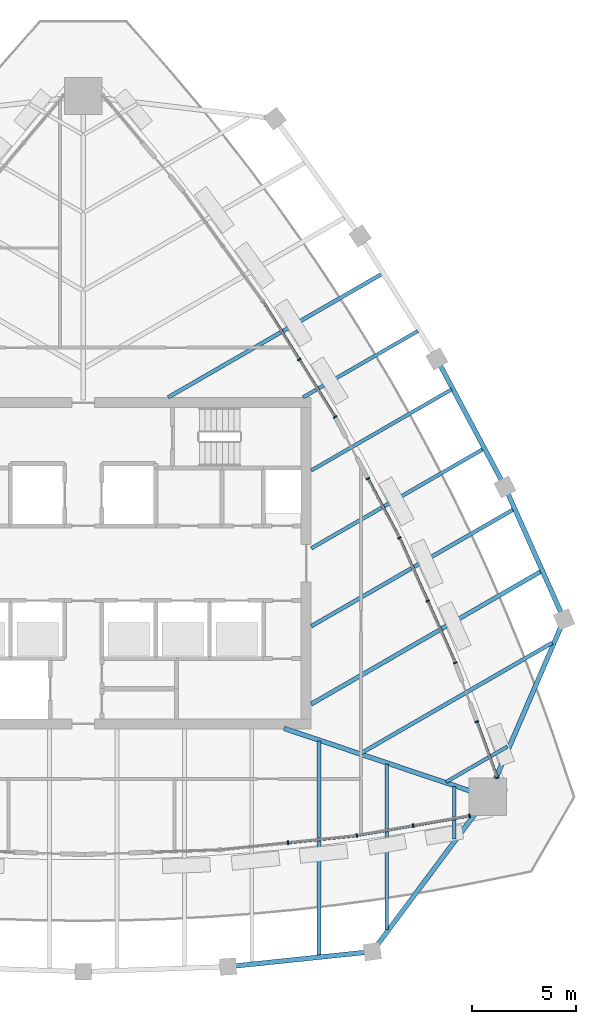
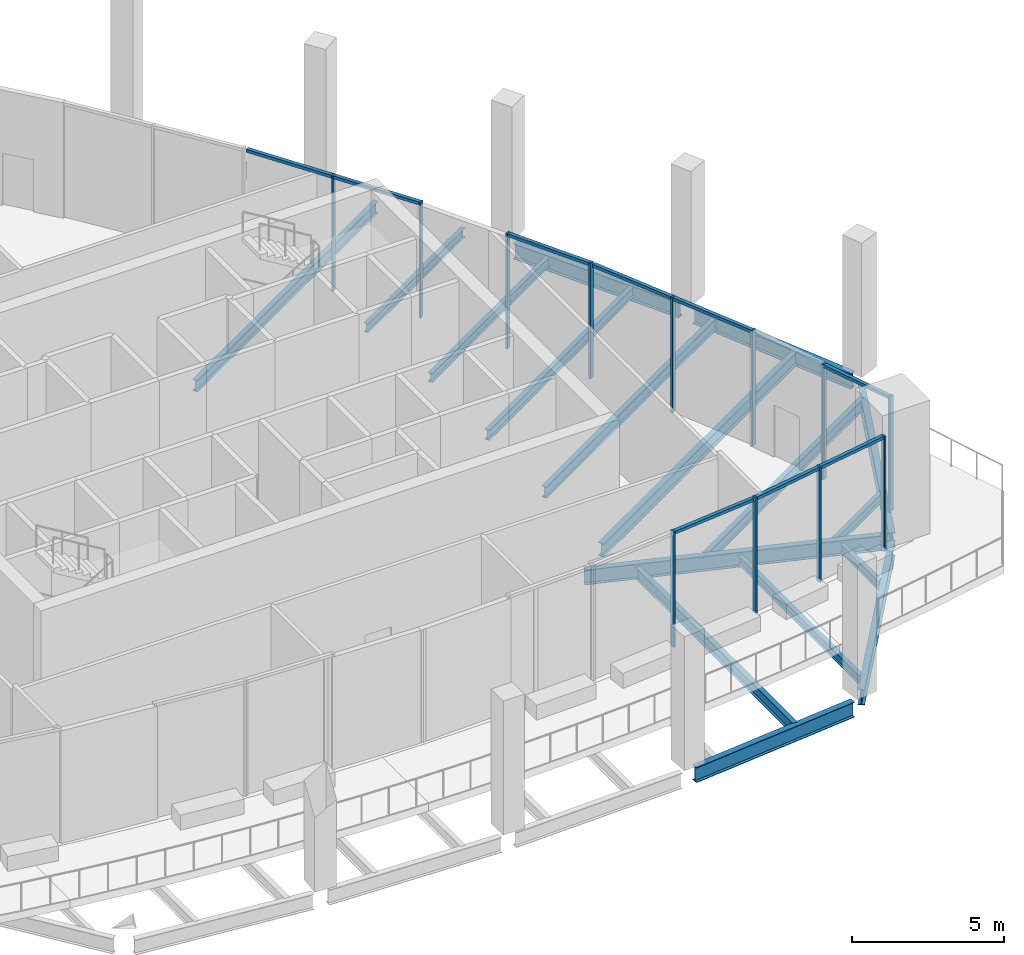
# One storey, part 4 of 14: 21 members, 17 beams, 6 elements without a shape of their own.
"""IFC4 building model written with IfcOpenShell, lengths in metres."""

from ifc_helpers import new_model, si_unit, direction, frame, origin, origin_2d, place, context, subcontext, project, spatial, rectangle, i_section, extrude, material, layer, layer_set, material_profile, profile_set, type_object, element, aggregate, save


model = new_model("IFC4")

# Units and contexts
model_context = context("Model", 3, precision=1e-05, world=origin(), true_north=direction((0.0, 1.0)))
body_context = subcontext(model_context, "Body", "Model", "MODEL_VIEW")
ifc_project = project(units=[si_unit("LENGTHUNIT", "METRE"), si_unit("AREAUNIT", "SQUARE_METRE"), si_unit("VOLUMEUNIT", "CUBIC_METRE"), si_unit("PLANEANGLEUNIT", "RADIAN"), si_unit("MASSUNIT", "GRAM", prefix="KILO")], contexts=[model_context])

# Site, building, storey
site_placement = place(None, origin())
site = spatial("IfcSite", under=ifc_project, at=site_placement, CompositionType="ELEMENT")
building_placement = place(site_placement, origin())
building = spatial("IfcBuilding", under=site, at=building_placement, Name="Sierra Prisma Convention Tower", CompositionType="ELEMENT")
storey_placement = place(building_placement, frame((0.0, 0.0, 339.39990234375)))
storey = spatial("IfcBuildingStorey", under=building, at=storey_placement, Name="L76", CompositionType="ELEMENT", Elevation=339.39990234375)

# Curtain wall, member
ifc_material_1 = material(Name="Aluminium and glass curtain wall", Category="aluminium")
ifc_layer = layer(ifc_material_1, 0.179931640625)
ifc_layer_set = layer_set([ifc_layer], Name="CW-5 Observation lounge curtain wall")
curtain_wall_type = type_object("IfcCurtainWallType", Name="CW-5 Observation lounge curtain wall", PredefinedType="NOTDEFINED", material=ifc_layer_set)
curtain_wall_1_placement = place(storey_placement, origin())
curtain_wall_1 = element("IfcCurtainWall", 1, at=curtain_wall_1_placement, inside=storey, type_object=curtain_wall_type, Name="CW-5 CS5 L76", PredefinedType="NOTDEFINED")
ifc_material_2 = material(Name="Aluminium 6063-T6 bronze anodised", Category="aluminium")
ifc_material_profile_1 = material_profile(ifc_material_2, rectangle(XDim=0.179931640625, YDim=0.070068359375, at=origin_2d()), Name="ALU MULLION 70x180")
ifc_profile_set_1 = profile_set([ifc_material_profile_1], Name="Aluminium 6063-T6 bronze anodised")
member_type_1 = type_object("IfcMemberType", Name="CW mullion bronze", PredefinedType="MULLION", material=ifc_profile_set_1)
member_1_placement = place(storey_placement, frame((9.881591796875, -13.479248046875, 0.0), z_axis=(0.0, 0.0, 1.0), x_axis=(-0.103659745555, 0.994612817709, 0.0)))
member_1 = element("IfcMember", 2, at=member_1_placement, type_object=member_type_1, Name="CW-5 mullion CS5.2", PredefinedType="MULLION", context=body_context, shape_type="SweptSolid", body=[
    extrude(rectangle(XDim=0.179931640625, YDim=0.070068359375, at=origin_2d()), origin(), (0.0, 0.0, 1.0), 4.64013671875),
])

# Curtain wall, members
curtain_wall_2_placement = place(storey_placement, origin())
curtain_wall_2 = element("IfcCurtainWall", 3, at=curtain_wall_2_placement, inside=storey, type_object=curtain_wall_type, Name="CW-5 CS6 L76", PredefinedType="NOTDEFINED")
member_2_placement = place(storey_placement, frame((13.19921875, -13.131103515625, 0.0), z_axis=(0.0, 0.0, 1.0), x_axis=(-0.172214339159, 0.985059501445, 0.0)))
member_2 = element("IfcMember", 4, at=member_2_placement, type_object=member_type_1, Name="CW-5 mullion CS6.1", PredefinedType="MULLION", context=body_context, shape_type="SweptSolid", body=[
    extrude(rectangle(XDim=0.179931640625, YDim=0.070068359375, at=origin_2d()), origin(), (0.0, 0.0, 1.0), 4.64013671875),
])
member_3_placement = place(storey_placement, frame((15.9150390625, -12.65625, 0.0), z_axis=(0.0, 0.0, 1.0), x_axis=(-0.172214339159, 0.985059501445, 0.0)))
member_3 = element("IfcMember", 5, at=member_3_placement, type_object=member_type_1, Name="CW-5 mullion CS6.2", PredefinedType="MULLION", context=body_context, shape_type="SweptSolid", body=[
    extrude(rectangle(XDim=0.179931640625, YDim=0.070068359375, at=origin_2d()), origin(), (0.0, 0.0, 1.0), 4.64013671875),
])
member_4_placement = place(storey_placement, frame((18.630615234375, -12.181640625, 0.0), z_axis=(0.0, 0.0, 1.0), x_axis=(-0.172214339159, 0.985059501445, 0.0)))
member_4 = element("IfcMember", 6, at=member_4_placement, type_object=member_type_1, Name="CW-5 mullion CS6.3", PredefinedType="MULLION", context=body_context, shape_type="SweptSolid", body=[
    extrude(rectangle(XDim=0.179931640625, YDim=0.070068359375, at=origin_2d()), origin(), (0.0, 0.0, 1.0), 4.64013671875),
])

curtain_wall_3_placement = place(storey_placement, origin())
curtain_wall_3 = element("IfcCurtainWall", 7, at=curtain_wall_3_placement, inside=storey, type_object=curtain_wall_type, Name="CW-5 CNE1 L76", PredefinedType="NOTDEFINED")
member_5_placement = place(storey_placement, frame((19.97509765625, -10.344970703125, 0.0), z_axis=(0.0, 0.0, 1.0), x_axis=(-0.939193722071, -0.343387758115, 0.0)))
member_5 = element("IfcMember", 8, at=member_5_placement, type_object=member_type_1, Name="CW-5 mullion CNE1.1", PredefinedType="MULLION", context=body_context, shape_type="SweptSolid", body=[
    extrude(rectangle(XDim=0.179931640625, YDim=0.070068359375, at=origin_2d()), origin(), (0.0, 0.0, 1.0), 4.64013671875),
])
member_6_placement = place(storey_placement, frame((18.9853515625, -7.63818359375, 0.0), z_axis=(0.0, 0.0, 1.0), x_axis=(-0.939193722071, -0.343387758115, 0.0)))
member_6 = element("IfcMember", 9, at=member_6_placement, type_object=member_type_1, Name="CW-5 mullion CNE1.2", PredefinedType="MULLION", context=body_context, shape_type="SweptSolid", body=[
    extrude(rectangle(XDim=0.179931640625, YDim=0.070068359375, at=origin_2d()), origin(), (0.0, 0.0, 1.0), 4.64013671875),
])

curtain_wall_4_placement = place(storey_placement, origin())
curtain_wall_4 = element("IfcCurtainWall", 10, at=curtain_wall_4_placement, inside=storey, type_object=curtain_wall_type, Name="CW-5 CNE2 L76", PredefinedType="NOTDEFINED")
member_7_placement = place(storey_placement, frame((17.9453125, -4.800537109375, 0.0), z_axis=(0.0, 0.0, 1.0), x_axis=(-0.913189839843, -0.407534435854, 0.0)))
member_7 = element("IfcMember", 11, at=member_7_placement, type_object=member_type_1, Name="CW-5 mullion CNE2.1", PredefinedType="MULLION", context=body_context, shape_type="SweptSolid", body=[
    extrude(rectangle(XDim=0.179931640625, YDim=0.070068359375, at=origin_2d()), origin(), (0.0, 0.0, 1.0), 4.64013671875),
])
member_8_placement = place(storey_placement, frame((16.6142578125, -1.818115234375, 0.0), z_axis=(0.0, 0.0, 1.0), x_axis=(-0.913189839843, -0.407534435854, 0.0)))
member_8 = element("IfcMember", 12, at=member_8_placement, type_object=member_type_1, Name="CW-5 mullion CNE2.2", PredefinedType="MULLION", context=body_context, shape_type="SweptSolid", body=[
    extrude(rectangle(XDim=0.179931640625, YDim=0.070068359375, at=origin_2d()), origin(), (0.0, 0.0, 1.0), 4.64013671875),
])

curtain_wall_5_placement = place(storey_placement, origin())
curtain_wall_5 = element("IfcCurtainWall", 13, at=curtain_wall_5_placement, inside=storey, type_object=curtain_wall_type, Name="CW-5 CNE3 L76", PredefinedType="NOTDEFINED")
member_9_placement = place(storey_placement, frame((15.25244140625, 1.2275390625, 0.0), z_axis=(0.0, 0.0, 1.0), x_axis=(-0.882810866777, -0.469728616863, 0.0)))
member_9 = element("IfcMember", 14, at=member_9_placement, type_object=member_type_1, Name="CW-5 mullion CNE3.1", PredefinedType="MULLION", context=body_context, shape_type="SweptSolid", body=[
    extrude(rectangle(XDim=0.179931640625, YDim=0.070068359375, at=origin_2d()), origin(), (0.0, 0.0, 1.0), 4.64013671875),
])
member_10_placement = place(storey_placement, frame((13.734619140625, 4.079833984375, 0.0), z_axis=(0.0, 0.0, 1.0), x_axis=(-0.882810866777, -0.469728616863, 0.0)))
member_10 = element("IfcMember", 15, at=member_10_placement, type_object=member_type_1, Name="CW-5 mullion CNE3.2", PredefinedType="MULLION", context=body_context, shape_type="SweptSolid", body=[
    extrude(rectangle(XDim=0.179931640625, YDim=0.070068359375, at=origin_2d()), origin(), (0.0, 0.0, 1.0), 4.64013671875),
])

curtain_wall_6_placement = place(storey_placement, origin())
curtain_wall_6 = element("IfcCurtainWall", 16, at=curtain_wall_6_placement, inside=storey, type_object=curtain_wall_type, Name="CW-5 CNE4 L76", PredefinedType="NOTDEFINED")
member_11_placement = place(storey_placement, frame((12.149169921875, 7.0546875, 0.0), z_axis=(0.0, 0.0, 1.0), x_axis=(-0.848202348476, -0.529672328935, 0.0)))
member_11 = element("IfcMember", 17, at=member_11_placement, type_object=member_type_1, Name="CW-5 mullion CNE4.1", PredefinedType="MULLION", context=body_context, shape_type="SweptSolid", body=[
    extrude(rectangle(XDim=0.179931640625, YDim=0.070068359375, at=origin_2d()), origin(), (0.0, 0.0, 1.0), 4.64013671875),
])
member_12_placement = place(storey_placement, frame((10.419189453125, 9.824951171875, 0.0), z_axis=(0.0, 0.0, 1.0), x_axis=(-0.848202348476, -0.529672328935, 0.0)))
member_12 = element("IfcMember", 18, at=member_12_placement, type_object=member_type_1, Name="CW-5 mullion CNE4.2", PredefinedType="MULLION", context=body_context, shape_type="SweptSolid", body=[
    extrude(rectangle(XDim=0.179931640625, YDim=0.070068359375, at=origin_2d()), origin(), (0.0, 0.0, 1.0), 4.64013671875),
])

# Member
ifc_material_3 = material(Name="Aluminium 6063-T6 bronze anodised", Category="aluminium")
ifc_material_profile_2 = material_profile(ifc_material_3, rectangle(XDim=0.139892578125, YDim=0.1201171875, at=origin_2d()), Name="ALU TRANSOM 120x140")
ifc_profile_set_2 = profile_set([ifc_material_profile_2], Name="Aluminium 6063-T6 bronze anodised")
member_type_2 = type_object("IfcMemberType", Name="CW transom bronze", PredefinedType="USERDEFINED", material=ifc_profile_set_2)
member_13_placement = place(storey_placement, frame((9.916259765625, -13.4755859375, 4.580078125), z_axis=(0.994613324084, 0.103654886782, 0.0), x_axis=(-0.103654886782, 0.994613324084, 0.0)))
member_13 = element("IfcMember", 19, at=member_13_placement, type_object=member_type_2, Name="CW-5 transom CS5.2", ObjectType="TRANSOM", PredefinedType="USERDEFINED", context=body_context, shape_type="SweptSolid", body=[
    extrude(rectangle(XDim=0.139892578125, YDim=0.1201171875, at=origin_2d()), origin(), (0.0, 0.0, 1.0), 3.1962890625),
])

aggregate(curtain_wall_1, [member_1, member_13])

member_14_placement = place(storey_placement, frame((13.23388671875, -13.125, 4.580078125), z_axis=(0.985064006156, 0.172188570396, 0.0), x_axis=(-0.172188570396, 0.985064006156, 0.0)))
member_14 = element("IfcMember", 20, at=member_14_placement, type_object=member_type_2, Name="CW-5 transom CS6.1", ObjectType="TRANSOM", PredefinedType="USERDEFINED", context=body_context, shape_type="SweptSolid", body=[
    extrude(rectangle(XDim=0.139892578125, YDim=0.1201171875, at=origin_2d()), origin(), (0.0, 0.0, 1.0), 2.686767578125),
])

member_15_placement = place(storey_placement, frame((15.949462890625, -12.650390625, 4.580078125), z_axis=(0.985048590279, 0.17227673897, 0.0), x_axis=(-0.17227673897, 0.985048590279, 0.0)))
member_15 = element("IfcMember", 21, at=member_15_placement, type_object=member_type_2, Name="CW-5 transom CS6.2", ObjectType="TRANSOM", PredefinedType="USERDEFINED", context=body_context, shape_type="SweptSolid", body=[
    extrude(rectangle(XDim=0.139892578125, YDim=0.1201171875, at=origin_2d()), origin(), (0.0, 0.0, 1.0), 2.68701171875),
])

aggregate(curtain_wall_2, [member_2, member_3, member_4, member_14, member_15])

member_16_placement = place(storey_placement, frame((19.962890625, -10.312255859375, 4.580078125), z_axis=(-0.343338757812, 0.939211636099, 0.0), x_axis=(-0.939211636099, -0.343338757812, 0.0)))
member_16 = element("IfcMember", 22, at=member_16_placement, type_object=member_type_2, Name="CW-5 transom CNE1.1", ObjectType="TRANSOM", PredefinedType="USERDEFINED", context=body_context, shape_type="SweptSolid", body=[
    extrude(rectangle(XDim=0.139892578125, YDim=0.1201171875, at=origin_2d()), origin(), (0.0, 0.0, 1.0), 2.812255859375),
])

aggregate(curtain_wall_3, [member_5, member_6, member_16])

member_17_placement = place(storey_placement, frame((17.930908203125, -4.7685546875, 4.580078125), z_axis=(-0.407520039404, 0.913196264493, 0.0), x_axis=(-0.913196264493, -0.407520039404, 0.0)))
member_17 = element("IfcMember", 23, at=member_17_placement, type_object=member_type_2, Name="CW-5 transom CNE2.1", ObjectType="TRANSOM", PredefinedType="USERDEFINED", context=body_context, shape_type="SweptSolid", body=[
    extrude(rectangle(XDim=0.139892578125, YDim=0.1201171875, at=origin_2d()), origin(), (0.0, 0.0, 1.0), 3.196044921875),
])

member_18_placement = place(storey_placement, frame((16.599853515625, -1.7861328125, 4.580078125), z_axis=(-0.407520039404, 0.913196264493, 0.0), x_axis=(-0.913196264493, -0.407520039404, 0.0)))
member_18 = element("IfcMember", 24, at=member_18_placement, type_object=member_type_2, Name="CW-5 transom CNE2.2", ObjectType="TRANSOM", PredefinedType="USERDEFINED", context=body_context, shape_type="SweptSolid", body=[
    extrude(rectangle(XDim=0.139892578125, YDim=0.1201171875, at=origin_2d()), origin(), (0.0, 0.0, 1.0), 3.196044921875),
])

aggregate(curtain_wall_4, [member_7, member_8, member_17, member_18])

member_19_placement = place(storey_placement, frame((15.236083984375, 1.25830078125, 4.580078125), z_axis=(-0.469714154008, 0.882818562064, 0.0), x_axis=(-0.882818562064, -0.469714154008, 0.0)))
member_19 = element("IfcMember", 25, at=member_19_placement, type_object=member_type_2, Name="CW-5 transom CNE3.1", ObjectType="TRANSOM", PredefinedType="USERDEFINED", context=body_context, shape_type="SweptSolid", body=[
    extrude(rectangle(XDim=0.139892578125, YDim=0.1201171875, at=origin_2d()), origin(), (0.0, 0.0, 1.0), 3.1611328125),
])

aggregate(curtain_wall_5, [member_9, member_10, member_19])

member_20_placement = place(storey_placement, frame((12.130615234375, 7.08447265625, 4.580078125), z_axis=(-0.529669318951, 0.848204228097, 0.0), x_axis=(-0.848204228097, -0.529669318951, 0.0)))
member_20 = element("IfcMember", 26, at=member_20_placement, type_object=member_type_2, Name="CW-5 transom CNE4.1", ObjectType="TRANSOM", PredefinedType="USERDEFINED", context=body_context, shape_type="SweptSolid", body=[
    extrude(rectangle(XDim=0.139892578125, YDim=0.1201171875, at=origin_2d()), origin(), (0.0, 0.0, 1.0), 3.196044921875),
])

member_21_placement = place(storey_placement, frame((10.400634765625, 9.854736328125, 4.580078125), z_axis=(-0.529669318951, 0.848204228097, 0.0), x_axis=(-0.848204228097, -0.529669318951, 0.0)))
member_21 = element("IfcMember", 27, at=member_21_placement, type_object=member_type_2, Name="CW-5 transom CNE4.2", ObjectType="TRANSOM", PredefinedType="USERDEFINED", context=body_context, shape_type="SweptSolid", body=[
    extrude(rectangle(XDim=0.139892578125, YDim=0.1201171875, at=origin_2d()), origin(), (0.0, 0.0, 1.0), 3.196044921875),
])

aggregate(curtain_wall_6, [member_11, member_12, member_20, member_21])

# Beams
ifc_material_4 = material(Name="Steel ASTM A992 Gr 50", Category="steel")
ifc_material_profile_3 = material_profile(ifc_material_4, i_section(OverallWidth=0.172119140625, OverallDepth=0.35791015625, WebThickness=0.0078125, FlangeThickness=0.01318359375, at=origin_2d()), Name="W360x57")
ifc_profile_set_3 = profile_set([ifc_material_profile_3], Name="Steel ASTM A992 Gr 50")
beam_type_1 = type_object("IfcBeamType", Name="Floor joist W360x57", PredefinedType="JOIST", material=ifc_profile_set_3)
beam_1_placement = place(storey_placement, frame((14.63525390625, -17.664794921875, -0.47900390625), z_axis=(0.0, 1.0, 0.0), x_axis=(-1.0, 0.0, 0.0)))
element("IfcBeam", 28, at=beam_1_placement, inside=storey, type_object=beam_type_1, Name="Floor joist L76 S11", PredefinedType="JOIST", context=body_context, shape_type="SweptSolid", body=[
    extrude(i_section(OverallWidth=0.172119140625, OverallDepth=0.35791015625, WebThickness=0.0078125, FlangeThickness=0.01318359375, at=origin_2d()), origin(), (0.0, 0.0, 1.0), 7.99072265625),
])
beam_2_placement = place(storey_placement, frame((17.8876953125, -13.30419921875, -0.47900390625), z_axis=(0.0, 1.0, 0.0), x_axis=(-1.0, 0.0, 0.0)))
element("IfcBeam", 29, at=beam_2_placement, inside=storey, type_object=beam_type_1, Name="Floor joist L76 S12", PredefinedType="JOIST", context=body_context, shape_type="SweptSolid", body=[
    extrude(i_section(OverallWidth=0.172119140625, OverallDepth=0.35791015625, WebThickness=0.0078125, FlangeThickness=0.01318359375, at=origin_2d()), origin(), (0.0, 0.0, 1.0), 2.53662109375),
])
beam_3_placement = place(storey_placement, frame((20.465576171875, -8.839111328125, -0.47900390625), z_axis=(-0.866059270181, -0.499941337092, 0.0), x_axis=(0.499941337092, -0.866059270181, 0.0)))
element("IfcBeam", 30, at=beam_3_placement, inside=storey, type_object=beam_type_1, Name="Floor joist L76 NE01", PredefinedType="JOIST", context=body_context, shape_type="SweptSolid", body=[
    extrude(i_section(OverallWidth=0.172119140625, OverallDepth=0.35791015625, WebThickness=0.0078125, FlangeThickness=0.01318359375, at=origin_2d()), origin(), (0.0, 0.0, 1.0), 3.41162109375),
])
beam_4_placement = place(storey_placement, frame((17.7685546875, 8.381103515625, -0.47900390625), z_axis=(-0.866018084234, -0.50001267762, 0.0), x_axis=(0.50001267762, -0.866018084234, 0.0)))
element("IfcBeam", 31, at=beam_4_placement, inside=storey, type_object=beam_type_1, Name="Floor joist L76 NE06", PredefinedType="JOIST", context=body_context, shape_type="SweptSolid", body=[
    extrude(i_section(OverallWidth=0.172119140625, OverallDepth=0.35791015625, WebThickness=0.0078125, FlangeThickness=0.01318359375, at=origin_2d()), origin(), (0.0, 0.0, 1.0), 7.815673828125),
])
beam_5_placement = place(storey_placement, frame((16.142578125, 11.197509765625, -0.47900390625), z_axis=(-0.866038102165, -0.499978005115, 0.0), x_axis=(0.499978005115, -0.866038102165, 0.0)))
element("IfcBeam", 32, at=beam_5_placement, inside=storey, type_object=beam_type_1, Name="Floor joist L76 NE07", PredefinedType="JOIST", context=body_context, shape_type="SweptSolid", body=[
    extrude(i_section(OverallWidth=0.172119140625, OverallDepth=0.35791015625, WebThickness=0.0078125, FlangeThickness=0.01318359375, at=origin_2d()), origin(), (0.0, 0.0, 1.0), 6.395263671875),
])
ifc_material_5 = material(Name="Steel ASTM A992 Gr 50", Category="steel")
ifc_material_profile_4 = material_profile(ifc_material_5, i_section(OverallWidth=0.177978515625, OverallDepth=0.406982421875, WebThickness=0.0078125, FlangeThickness=0.0126953125, at=origin_2d()), Name="W410x60")
ifc_profile_set_4 = profile_set([ifc_material_profile_4], Name="Steel ASTM A992 Gr 50")
beam_type_2 = type_object("IfcBeamType", Name="Floor joist W410x60", PredefinedType="JOIST", material=ifc_profile_set_4)
beam_6_placement = place(storey_placement, frame((19.29736328125, 5.508056640625, -0.50341796875), z_axis=(-0.866034520527, -0.499984209006, 0.0), x_axis=(0.499984209006, -0.866034520527, 0.0)))
element("IfcBeam", 33, at=beam_6_placement, inside=storey, type_object=beam_type_2, Name="Floor joist L76 NE05", PredefinedType="JOIST", context=body_context, shape_type="SweptSolid", body=[
    extrude(i_section(OverallWidth=0.177978515625, OverallDepth=0.406982421875, WebThickness=0.0078125, FlangeThickness=0.0126953125, at=origin_2d()), origin(), (0.0, 0.0, 1.0), 9.580810546875),
])
ifc_material_6 = material(Name="Steel ASTM A992 Gr 50", Category="steel")
ifc_material_profile_5 = material_profile(ifc_material_6, i_section(OverallWidth=0.18994140625, OverallDepth=0.45703125, WebThickness=0.009033203125, FlangeThickness=0.014404296875, at=origin_2d()), Name="W460x74")
ifc_profile_set_5 = profile_set([ifc_material_profile_5], Name="Steel ASTM A992 Gr 50")
beam_type_3 = type_object("IfcBeamType", Name="Floor joist W460x74", PredefinedType="JOIST", material=ifc_profile_set_5)
beam_7_placement = place(storey_placement, frame((11.383056640625, -18.9345703125, -0.5283203125), z_axis=(0.0, 1.0, 0.0), x_axis=(-1.0, 0.0, 0.0)))
element("IfcBeam", 34, at=beam_7_placement, inside=storey, type_object=beam_type_3, Name="Floor joist L76 S10", PredefinedType="JOIST", context=body_context, shape_type="SweptSolid", body=[
    extrude(i_section(OverallWidth=0.18994140625, OverallDepth=0.45703125, WebThickness=0.009033203125, FlangeThickness=0.014404296875, at=origin_2d()), origin(), (0.0, 0.0, 1.0), 10.354248046875),
])
beam_8_placement = place(storey_placement, frame((22.61572265625, -3.84228515625, -0.5283203125), z_axis=(-0.866026257313, -0.499998521642, 0.0), x_axis=(0.499998521642, -0.866026257313, 0.0)))
element("IfcBeam", 35, at=beam_8_placement, inside=storey, type_object=beam_type_3, Name="Floor joist L76 NE02", PredefinedType="JOIST", context=body_context, shape_type="SweptSolid", body=[
    extrude(i_section(OverallWidth=0.18994140625, OverallDepth=0.45703125, WebThickness=0.009033203125, FlangeThickness=0.014404296875, at=origin_2d()), origin(), (0.0, 0.0, 1.0), 10.640625),
])
beam_9_placement = place(storey_placement, frame((20.756591796875, 2.59521484375, -0.5283203125), z_axis=(-0.866031491966, -0.499989454812, 0.0), x_axis=(0.499989454812, -0.866031491966, 0.0)))
element("IfcBeam", 36, at=beam_9_placement, inside=storey, type_object=beam_type_3, Name="Floor joist L76 NE04", PredefinedType="JOIST", context=body_context, shape_type="SweptSolid", body=[
    extrude(i_section(OverallWidth=0.18994140625, OverallDepth=0.45703125, WebThickness=0.009033203125, FlangeThickness=0.014404296875, at=origin_2d()), origin(), (0.0, 0.0, 1.0), 11.265869140625),
])
beam_10_placement = place(storey_placement, frame((14.4189453125, 13.957763671875, -0.5283203125), z_axis=(-0.86602931789, -0.499993220509, 0.0), x_axis=(0.499993220509, -0.86602931789, 0.0)))
element("IfcBeam", 37, at=beam_10_placement, inside=storey, type_object=beam_type_3, Name="Floor joist L76 NE08", PredefinedType="JOIST", context=body_context, shape_type="SweptSolid", body=[
    extrude(i_section(OverallWidth=0.18994140625, OverallDepth=0.45703125, WebThickness=0.009033203125, FlangeThickness=0.014404296875, at=origin_2d()), origin(), (0.0, 0.0, 1.0), 11.915771484375),
])
ifc_material_7 = material(Name="Steel ASTM A992 Gr 50", Category="steel")
ifc_material_profile_6 = material_profile(ifc_material_7, i_section(OverallWidth=0.208984375, OverallDepth=0.532958984375, WebThickness=0.01025390625, FlangeThickness=0.015625, at=origin_2d()), Name="W530x92")
ifc_profile_set_6 = profile_set([ifc_material_profile_6], Name="Steel ASTM A992 Gr 50")
beam_type_4 = type_object("IfcBeamType", Name="Floor joist W530x92", PredefinedType="JOIST", material=ifc_profile_set_6)
beam_11_placement = place(storey_placement, frame((22.089111328125, -0.390869140625, -0.56640625), z_axis=(-0.866023971986, -0.50000247994, 0.0), x_axis=(0.50000247994, -0.866023971986, 0.0)))
element("IfcBeam", 38, at=beam_11_placement, inside=storey, type_object=beam_type_4, Name="Floor joist L76 NE03", PredefinedType="JOIST", context=body_context, shape_type="SweptSolid", body=[
    extrude(i_section(OverallWidth=0.208984375, OverallDepth=0.532958984375, WebThickness=0.01025390625, FlangeThickness=0.015625, at=origin_2d()), origin(), (0.0, 0.0, 1.0), 12.8046875),
])
ifc_material_8 = material(Name="Steel ASTM A992 Gr 50", Category="steel")
ifc_material_profile_7 = material_profile(ifc_material_8, i_section(OverallWidth=0.22802734375, OverallDepth=0.60302734375, WebThickness=0.010498046875, FlangeThickness=0.014892578125, at=origin_2d()), Name="W610x101")
ifc_profile_set_7 = profile_set([ifc_material_profile_7], Name="Steel ASTM A992 Gr 50")
beam_type_5 = type_object("IfcBeamType", Name="Radial girder W610x101", PredefinedType="BEAM", material=ifc_profile_set_7)
beam_12_placement = place(storey_placement, frame((19.333740234375, -11.205810546875, -0.451416015625), z_axis=(-0.947845267428, 0.318730841016, 0.0), x_axis=(-0.318730841016, -0.947845267428, 0.0)))
element("IfcBeam", 39, at=beam_12_placement, inside=storey, type_object=beam_type_5, Name="Radial girder L76 SE", PredefinedType="BEAM", context=body_context, shape_type="SweptSolid", body=[
    extrude(i_section(OverallWidth=0.22802734375, OverallDepth=0.60302734375, WebThickness=0.010498046875, FlangeThickness=0.014892578125, at=origin_2d()), origin(), (0.0, 0.0, 1.0), 10.17822265625),
])
ifc_material_9 = material(Name="Steel ASTM A992 Gr 50", Category="steel")
ifc_material_profile_8 = material_profile(ifc_material_9, i_section(OverallWidth=0.22998046875, OverallDepth=0.616943359375, WebThickness=0.01318359375, FlangeThickness=0.022216796875, at=origin_2d()), Name="W610x140")
ifc_profile_set_8 = profile_set([ifc_material_profile_8], Name="Steel ASTM A992 Gr 50")
beam_type_6 = type_object("IfcBeamType", Name="Spandrel beam W610x140", PredefinedType="BEAM", material=ifc_profile_set_8)
beam_13_placement = place(storey_placement, frame((7.267822265625, -19.428955078125, -0.6083984375), z_axis=(0.994614089718, 0.103647539933, 0.0), x_axis=(-0.103647539933, 0.994614089718, 0.0)))
element("IfcBeam", 40, at=beam_13_placement, inside=storey, type_object=beam_type_6, Name="Spandrel L76-05", PredefinedType="BEAM", context=body_context, shape_type="SweptSolid", body=[
    extrude(i_section(OverallWidth=0.22998046875, OverallDepth=0.616943359375, WebThickness=0.01318359375, FlangeThickness=0.022216796875, at=origin_2d()), origin(), (0.0, 0.0, 1.0), 6.432861328125),
])
beam_14_placement = place(storey_placement, frame((14.209228515625, -18.378662109375, -0.6083984375), z_axis=(0.59784325076, 0.801613028537, 0.0), x_axis=(-0.801613028537, 0.59784325076, 0.0)))
element("IfcBeam", 41, at=beam_14_placement, inside=storey, type_object=beam_type_6, Name="Spandrel L76-06", PredefinedType="BEAM", context=body_context, shape_type="SweptSolid", body=[
    extrude(i_section(OverallWidth=0.22998046875, OverallDepth=0.616943359375, WebThickness=0.01318359375, FlangeThickness=0.022216796875, at=origin_2d()), origin(), (0.0, 0.0, 1.0), 8.64794921875),
])
beam_15_placement = place(storey_placement, frame((19.591064453125, -11.086181640625, -0.6083984375), z_axis=(0.395280641587, 0.918560403232, 0.0), x_axis=(-0.918560403232, 0.395280641587, 0.0)))
element("IfcBeam", 42, at=beam_15_placement, inside=storey, type_object=beam_type_6, Name="Spandrel L76-07", PredefinedType="BEAM", context=body_context, shape_type="SweptSolid", body=[
    extrude(i_section(OverallWidth=0.22998046875, OverallDepth=0.616943359375, WebThickness=0.01318359375, FlangeThickness=0.022216796875, at=origin_2d()), origin(), (0.0, 0.0, 1.0), 8.676513671875),
])
beam_16_placement = place(storey_placement, frame((23.081298828125, -2.4541015625, -0.6083984375), z_axis=(-0.407525387026, 0.913193878062, 0.0), x_axis=(-0.913193878062, -0.407525387026, 0.0)))
element("IfcBeam", 43, at=beam_16_placement, inside=storey, type_object=beam_type_6, Name="Spandrel L76-08", PredefinedType="BEAM", context=body_context, shape_type="SweptSolid", body=[
    extrude(i_section(OverallWidth=0.22998046875, OverallDepth=0.616943359375, WebThickness=0.01318359375, FlangeThickness=0.022216796875, at=origin_2d()), origin(), (0.0, 0.0, 1.0), 6.432861328125),
])
beam_17_placement = place(storey_placement, frame((20.2138671875, 3.923583984375, -0.6083984375), z_axis=(-0.469705495739, 0.882823168745, 0.0), x_axis=(-0.882823168745, -0.469705495739, 0.0)))
element("IfcBeam", 44, at=beam_17_placement, inside=storey, type_object=beam_type_6, Name="Spandrel L76-09", PredefinedType="BEAM", context=body_context, shape_type="SweptSolid", body=[
    extrude(i_section(OverallWidth=0.22998046875, OverallDepth=0.616943359375, WebThickness=0.01318359375, FlangeThickness=0.022216796875, at=origin_2d()), origin(), (0.0, 0.0, 1.0), 6.4326171875),
])

save(model, "model.ifc")
